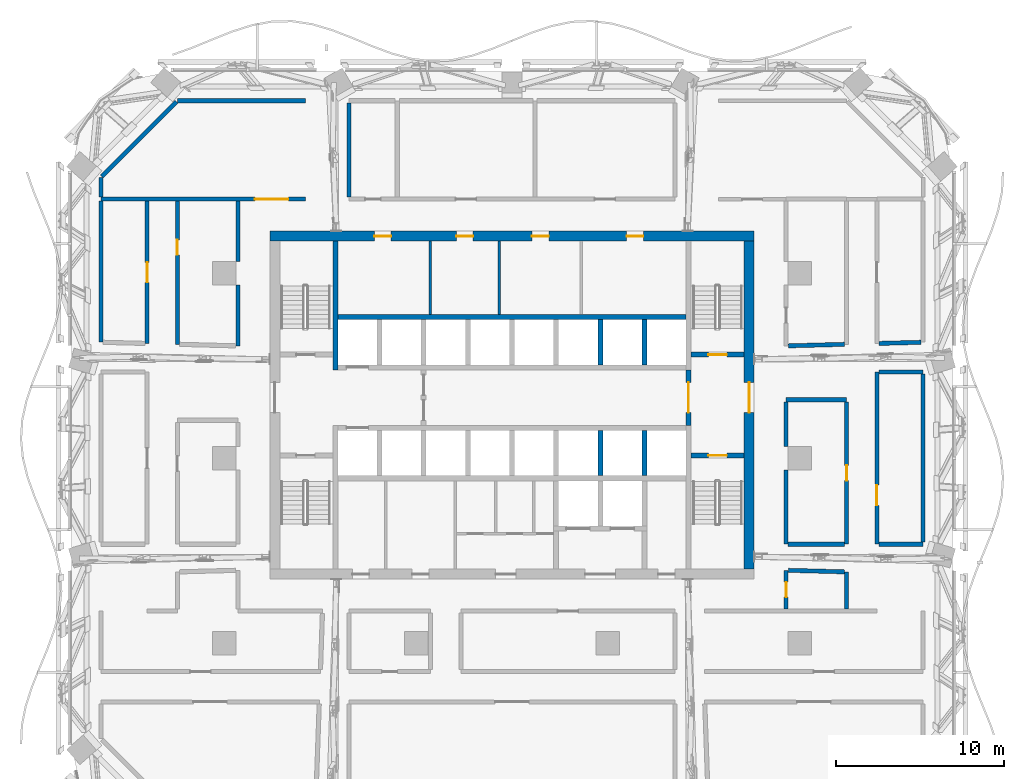
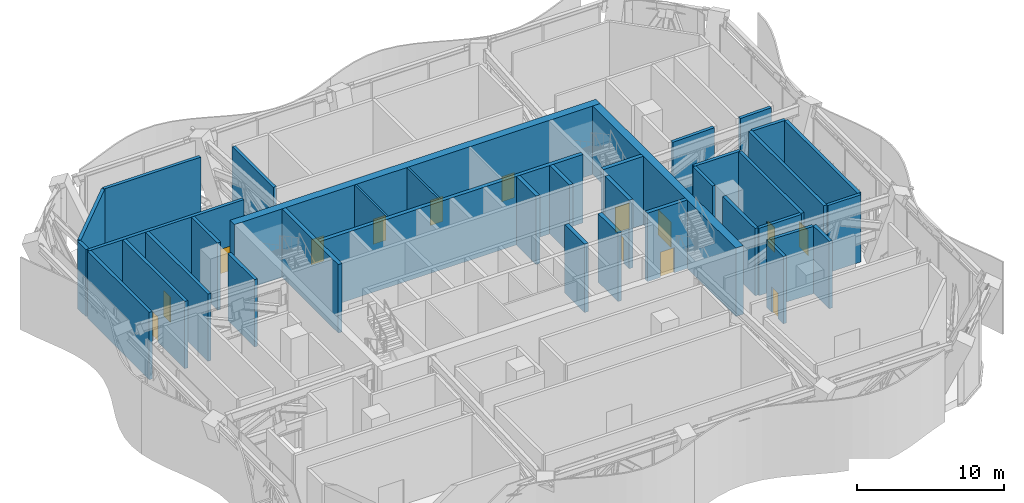
# One storey, part 10 of 26: 37 walls, 14 doors, 14 openings.
"""IFC4 building model written with IfcOpenShell, lengths in metres."""

from ifc_helpers import new_model, si_unit, direction, frame, frame_2d, origin, place, context, subcontext, project, spatial, rectangle, extrude, material, layer, layer_set, type_object, element, fill, save


model = new_model("IFC4")

# Units and contexts
model_context = context("Model", 3, precision=1e-05, world=origin(), true_north=direction((0.0, 1.0)))
body_context = subcontext(model_context, "Body", "Model", "MODEL_VIEW")
ifc_project = project(units=[si_unit("LENGTHUNIT", "METRE"), si_unit("AREAUNIT", "SQUARE_METRE"), si_unit("VOLUMEUNIT", "CUBIC_METRE"), si_unit("PLANEANGLEUNIT", "RADIAN"), si_unit("MASSUNIT", "GRAM", prefix="KILO")], contexts=[model_context])

# Site, building, storey
site_placement = place(None, origin())
site = spatial("IfcSite", under=ifc_project, at=site_placement, CompositionType="ELEMENT")
building_placement = place(site_placement, origin())
building = spatial("IfcBuilding", under=site, at=building_placement, Name="Mopane Tessera Tower", CompositionType="ELEMENT")
storey_placement = place(building_placement, frame((0.0, 0.0, 205.0)))
storey = spatial("IfcBuildingStorey", under=building, at=storey_placement, Name="L43", CompositionType="ELEMENT", Elevation=205.0)

# Walls
ifc_material_1 = material(Name="Fire-rated gypsum board partition")
ifc_layer_1 = layer(ifc_material_1, 0.14990234375)
ifc_layer_set_1 = layer_set([ifc_layer_1], Name="Fire-rated gypsum board partition")
wall_type_1 = type_object("IfcWallType", Name="Core room partition 150 mm", PredefinedType="PARTITIONING", material=ifc_layer_set_1)
for number, where, z_axis, x_axis, name in (
    (1, (-4.875, 8.550048828125, 0.0), (0.0, 0.0, 1.0), (0.0, 1.0, 0.0), "L43 Room partition"),
    (2, (-0.75, 8.550048828125, 0.0), (0.0, 0.0, 1.0), (0.0, 1.0, 0.0), "L43 Room partition"),
):
    element("IfcWall", number, at=place(storey_placement, frame(where, z_axis=z_axis, x_axis=x_axis)), inside=storey, type_object=wall_type_1, Name=name, PredefinedType="PARTITIONING", context=body_context, shape_type="SweptSolid", body=[
        extrude(rectangle(XDim=4.349853515625, YDim=0.14990234375, at=frame_2d((2.1748046875, 0.0))), origin(), (0.0, 0.0, 1.0), 5.699951171875),
    ])

# Wall, openings, doors
ifc_material_2 = material(Name="Concrete C70/85", Category="concrete")
ifc_layer_2 = layer(ifc_material_2, 0.60009765625)
ifc_layer_set_2 = layer_set([ifc_layer_2], Name="Concrete C70/85")
wall_type_2 = type_object("IfcWallType", Name="Core shear wall 600 mm", PredefinedType="SHEAR", material=ifc_layer_set_2)
wall_1_placement = place(storey_placement, frame((-14.39990234375, 13.199951171875, 0.0), z_axis=(0.0, 0.0, 1.0), x_axis=(1.0, 0.0, 0.0)))
wall_1 = element("IfcWall", 3, at=wall_1_placement, inside=storey, type_object=wall_type_2, Name="L43 Core wall north", PredefinedType="SHEAR", context=body_context, shape_type="SweptSolid", body=[
    extrude(rectangle(XDim=28.7998046875, YDim=0.60009765625, at=frame_2d((14.39990234375, 0.0))), origin(), (0.0, 0.0, 1.0), 5.699951171875),
])
opening_1_placement = place(wall_1_placement, frame((6.21240234375, 0.0, 0.0)))
opening_1 = element("IfcOpeningElement", 4, at=opening_1_placement, cuts=wall_1, Name="Opening RD1", PredefinedType="OPENING", context=body_context, shape_type="SweptSolid", body=[
    extrude(rectangle(XDim=1.0, YDim=2.10009765625, at=frame_2d((0.5, 1.050048828125))), frame((0.0, 0.31201171875, 0.0), z_axis=(0.0, -1.0, 0.0), x_axis=(1.0, 0.0, 0.0)), (0.0, 0.0, 1.0), 0.6240234375),
])
opening_2_placement = place(wall_1_placement, frame((11.08740234375, 0.0, 0.0)))
opening_2 = element("IfcOpeningElement", 5, at=opening_2_placement, cuts=wall_1, Name="Opening RD1", PredefinedType="OPENING", context=body_context, shape_type="SweptSolid", body=[
    extrude(rectangle(XDim=1.0, YDim=2.10009765625, at=frame_2d((0.5, 1.050048828125))), frame((0.0, 0.31201171875, 0.0), z_axis=(0.0, -1.0, 0.0), x_axis=(1.0, 0.0, 0.0)), (0.0, 0.0, 1.0), 0.6240234375),
])
opening_3_placement = place(wall_1_placement, frame((15.58740234375, 0.0, 0.0)))
opening_3 = element("IfcOpeningElement", 6, at=opening_3_placement, cuts=wall_1, Name="Opening RD1", PredefinedType="OPENING", context=body_context, shape_type="SweptSolid", body=[
    extrude(rectangle(XDim=1.0, YDim=2.10009765625, at=frame_2d((0.5, 1.050048828125))), frame((0.0, 0.31201171875, 0.0), z_axis=(0.0, -1.0, 0.0), x_axis=(1.0, 0.0, 0.0)), (0.0, 0.0, 1.0), 0.6240234375),
])
opening_4_placement = place(wall_1_placement, frame((21.21240234375, 0.0, 0.0)))
opening_4 = element("IfcOpeningElement", 7, at=opening_4_placement, cuts=wall_1, Name="Opening RD1", PredefinedType="OPENING", context=body_context, shape_type="SweptSolid", body=[
    extrude(rectangle(XDim=1.0, YDim=2.10009765625, at=frame_2d((0.5, 1.050048828125))), frame((0.0, 0.31201171875, 0.0), z_axis=(0.0, -1.0, 0.0), x_axis=(1.0, 0.0, 0.0)), (0.0, 0.0, 1.0), 0.6240234375),
])
ifc_material_3 = material(Name="Timber door", Category="wood")
door_type_1 = type_object("IfcDoorType", Name="Core room door 1000 x 2100", OperationType="SINGLE_SWING_LEFT", PredefinedType="DOOR", material=ifc_material_3)
door_1_placement = place(opening_1_placement, origin())
door_1 = element("IfcDoor", 8, at=door_1_placement, inside=storey, type_object=door_type_1, Name="L43 Room door", OperationType="SINGLE_SWING_LEFT", OverallHeight=2.10009765625, OverallWidth=1.0, PredefinedType="DOOR", context=body_context, shape_type="SweptSolid", body=[
    extrude(rectangle(XDim=1.0, YDim=2.10009765625, at=frame_2d((0.5, 1.050048828125))), frame((0.0, 0.02490234375, 0.0), z_axis=(0.0, -1.0, 0.0), x_axis=(1.0, 0.0, 0.0)), (0.0, 0.0, 1.0), 0.050048828125),
])
fill(opening_1, door_1)
door_2_placement = place(opening_2_placement, origin())
door_2 = element("IfcDoor", 9, at=door_2_placement, inside=storey, type_object=door_type_1, Name="L43 Room door", OperationType="SINGLE_SWING_LEFT", OverallHeight=2.10009765625, OverallWidth=1.0, PredefinedType="DOOR", context=body_context, shape_type="SweptSolid", body=[
    extrude(rectangle(XDim=1.0, YDim=2.10009765625, at=frame_2d((0.5, 1.050048828125))), frame((0.0, 0.02490234375, 0.0), z_axis=(0.0, -1.0, 0.0), x_axis=(1.0, 0.0, 0.0)), (0.0, 0.0, 1.0), 0.050048828125),
])
fill(opening_2, door_2)
door_3_placement = place(opening_3_placement, origin())
door_3 = element("IfcDoor", 10, at=door_3_placement, inside=storey, type_object=door_type_1, Name="L43 Room door", OperationType="SINGLE_SWING_LEFT", OverallHeight=2.10009765625, OverallWidth=1.0, PredefinedType="DOOR", context=body_context, shape_type="SweptSolid", body=[
    extrude(rectangle(XDim=1.0, YDim=2.10009765625, at=frame_2d((0.5, 1.050048828125))), frame((0.0, 0.02490234375, 0.0), z_axis=(0.0, -1.0, 0.0), x_axis=(1.0, 0.0, 0.0)), (0.0, 0.0, 1.0), 0.050048828125),
])
fill(opening_3, door_3)
door_4_placement = place(opening_4_placement, origin())
door_4 = element("IfcDoor", 11, at=door_4_placement, inside=storey, type_object=door_type_1, Name="L43 Room door", OperationType="SINGLE_SWING_LEFT", OverallHeight=2.10009765625, OverallWidth=1.0, PredefinedType="DOOR", context=body_context, shape_type="SweptSolid", body=[
    extrude(rectangle(XDim=1.0, YDim=2.10009765625, at=frame_2d((0.5, 1.050048828125))), frame((0.0, 0.02490234375, 0.0), z_axis=(0.0, -1.0, 0.0), x_axis=(1.0, 0.0, 0.0)), (0.0, 0.0, 1.0), 0.050048828125),
])
fill(opening_4, door_4)

# Wall, opening, door
wall_2_placement = place(storey_placement, frame((14.10009765625, -6.60009765625, 0.0), z_axis=(0.0, 0.0, 1.0), x_axis=(0.0, 1.0, 0.0)))
wall_2 = element("IfcWall", 12, at=wall_2_placement, inside=storey, type_object=wall_type_2, Name="L43 Core wall east", PredefinedType="SHEAR", context=body_context, shape_type="SweptSolid", body=[
    extrude(rectangle(XDim=19.5, YDim=0.60009765625, at=frame_2d((9.75, 0.0))), origin(), (0.0, 0.0, 1.0), 5.699951171875),
])
opening_5_placement = place(wall_2_placement, frame((9.300048828125, 0.0, 0.0)))
opening_5 = element("IfcOpeningElement", 13, at=opening_5_placement, cuts=wall_2, Name="Opening SD2", PredefinedType="OPENING", context=body_context, shape_type="SweptSolid", body=[
    extrude(rectangle(XDim=1.800048828125, YDim=2.10009765625, at=frame_2d((0.89990234375, 1.050048828125))), frame((0.0, 0.31201171875, 0.0), z_axis=(0.0, -1.0, 0.0), x_axis=(1.0, 0.0, 0.0)), (0.0, 0.0, 1.0), 0.6240234375),
])
ifc_material_4 = material(Name="Steel fire door", Category="steel")
door_type_2 = type_object("IfcDoorType", Name="Core entrance double door 1800 x 2100", OperationType="DOUBLE_DOOR_SINGLE_SWING", PredefinedType="DOOR", material=ifc_material_4)
door_5_placement = place(opening_5_placement, origin())
door_5 = element("IfcDoor", 14, at=door_5_placement, inside=storey, type_object=door_type_2, Name="L43 Core entrance door east", OperationType="DOUBLE_DOOR_SINGLE_SWING", OverallHeight=2.10009765625, OverallWidth=1.800048828125, PredefinedType="DOOR", context=body_context, shape_type="SweptSolid", body=[
    extrude(rectangle(XDim=1.800048828125, YDim=2.10009765625, at=frame_2d((0.89990234375, 1.050048828125))), frame((0.0, 0.02490234375, 0.0), z_axis=(0.0, -1.0, 0.0), x_axis=(1.0, 0.0, 0.0)), (0.0, 0.0, 1.0), 0.050048828125),
])
fill(opening_5, door_5)

# Wall
ifc_material_5 = material(Name="Concrete C60/75", Category="concrete")
ifc_layer_3 = layer(ifc_material_5, 0.300048828125)
ifc_layer_set_3 = layer_set([ifc_layer_3], Name="Concrete C60/75")
wall_type_3 = type_object("IfcWallType", Name="Core spine wall 300 mm", PredefinedType="SHEAR", material=ifc_layer_set_3)
wall_3_placement = place(storey_placement, frame((-10.5, 5.25, 0.0), z_axis=(0.0, 0.0, 1.0), x_axis=(0.0, 1.0, 0.0)))
element("IfcWall", 15, at=wall_3_placement, inside=storey, type_object=wall_type_3, Name="L43 Core spine wall", PredefinedType="SHEAR", context=body_context, shape_type="SweptSolid", body=[
    extrude(rectangle(XDim=7.64990234375, YDim=0.300048828125, at=frame_2d((3.824951171875, 0.0))), origin(), (0.0, 0.0, 1.0), 5.699951171875),
])

# Wall, opening, door
ifc_material_6 = material(Name="Concrete C50/60", Category="concrete")
ifc_layer_4 = layer(ifc_material_6, 0.300048828125)
ifc_layer_set_4 = layer_set([ifc_layer_4], Name="Concrete C50/60")
wall_type_4 = type_object("IfcWallType", Name="Lift and stair shaft wall 300 mm", PredefinedType="SOLIDWALL", material=ifc_layer_set_4)
wall_4_placement = place(storey_placement, frame((10.64990234375, 0.14990234375, 0.0), z_axis=(0.0, 0.0, 1.0), x_axis=(1.0, 0.0, 0.0)))
wall_4 = element("IfcWall", 16, at=wall_4_placement, inside=storey, type_object=wall_type_4, Name="L43 Stair enclosure wall", PredefinedType="SOLIDWALL", context=body_context, shape_type="SweptSolid", body=[
    extrude(rectangle(XDim=3.150146484375, YDim=0.300048828125, at=frame_2d((1.5751953125, 0.0))), origin(), (0.0, 0.0, 1.0), 5.699951171875),
])
opening_6_placement = place(wall_4_placement, frame((1.02490234375, 0.0, 0.0)))
opening_6 = element("IfcOpeningElement", 17, at=opening_6_placement, cuts=wall_4, Name="Opening SD1", PredefinedType="OPENING", context=body_context, shape_type="SweptSolid", body=[
    extrude(rectangle(XDim=1.10009765625, YDim=2.10009765625, at=frame_2d((0.550048828125, 1.050048828125))), frame((0.0, 0.162109375, 0.0), z_axis=(0.0, -1.0, 0.0), x_axis=(1.0, 0.0, 0.0)), (0.0, 0.0, 1.0), 0.323974609375),
])
ifc_material_7 = material(Name="Steel fire door", Category="steel")
door_type_3 = type_object("IfcDoorType", Name="Stair fire door 1100 x 2100", OperationType="SINGLE_SWING_LEFT", PredefinedType="DOOR", material=ifc_material_7)
door_6_placement = place(opening_6_placement, origin())
door_6 = element("IfcDoor", 18, at=door_6_placement, inside=storey, type_object=door_type_3, Name="L43 Stair door ST3", OperationType="SINGLE_SWING_RIGHT", OverallHeight=2.10009765625, OverallWidth=1.10009765625, PredefinedType="DOOR", context=body_context, shape_type="SweptSolid", body=[
    extrude(rectangle(XDim=1.10009765625, YDim=2.10009765625, at=frame_2d((0.550048828125, 1.050048828125))), frame((0.0, 0.02490234375, 0.0), z_axis=(0.0, -1.0, 0.0), x_axis=(1.0, 0.0, 0.0)), (0.0, 0.0, 1.0), 0.050048828125),
])
fill(opening_6, door_6)

wall_5_placement = place(storey_placement, frame((10.64990234375, 6.14990234375, 0.0), z_axis=(0.0, 0.0, 1.0), x_axis=(1.0, 0.0, 0.0)))
wall_5 = element("IfcWall", 19, at=wall_5_placement, inside=storey, type_object=wall_type_4, Name="L43 Stair enclosure wall", PredefinedType="SOLIDWALL", context=body_context, shape_type="SweptSolid", body=[
    extrude(rectangle(XDim=3.150146484375, YDim=0.300048828125, at=frame_2d((1.5751953125, 0.0))), origin(), (0.0, 0.0, 1.0), 5.699951171875),
])
opening_7_placement = place(wall_5_placement, frame((1.02490234375, 0.0, 0.0)))
opening_7 = element("IfcOpeningElement", 20, at=opening_7_placement, cuts=wall_5, Name="Opening SD1", PredefinedType="OPENING", context=body_context, shape_type="SweptSolid", body=[
    extrude(rectangle(XDim=1.10009765625, YDim=2.10009765625, at=frame_2d((0.550048828125, 1.050048828125))), frame((0.0, 0.162109375, 0.0), z_axis=(0.0, -1.0, 0.0), x_axis=(1.0, 0.0, 0.0)), (0.0, 0.0, 1.0), 0.323974609375),
])
door_7_placement = place(opening_7_placement, origin())
door_7 = element("IfcDoor", 21, at=door_7_placement, inside=storey, type_object=door_type_3, Name="L43 Stair door ST4", OperationType="SINGLE_SWING_RIGHT", OverallHeight=2.10009765625, OverallWidth=1.10009765625, PredefinedType="DOOR", context=body_context, shape_type="SweptSolid", body=[
    extrude(rectangle(XDim=1.10009765625, YDim=2.10009765625, at=frame_2d((0.550048828125, 1.050048828125))), frame((0.0, 0.02490234375, 0.0), z_axis=(0.0, -1.0, 0.0), x_axis=(1.0, 0.0, 0.0)), (0.0, 0.0, 1.0), 0.050048828125),
])
fill(opening_7, door_7)

# Walls
wall_6_placement = place(storey_placement, frame((-10.35009765625, 8.39990234375, 0.0), z_axis=(0.0, 0.0, 1.0), x_axis=(1.0, 0.0, 0.0)))
element("IfcWall", 22, at=wall_6_placement, inside=storey, type_object=wall_type_4, Name="L43 Lift shaft rear wall", PredefinedType="SOLIDWALL", context=body_context, shape_type="SweptSolid", body=[
    extrude(rectangle(XDim=20.7001953125, YDim=0.300048828125, at=frame_2d((10.35009765625, 0.0))), origin(), (0.0, 0.0, 1.0), 5.699951171875),
])
for number, where, z_axis, x_axis, name in (
    (23, (5.25, -1.050048828125, 0.0), (0.0, 0.0, 1.0), (0.0, 1.0, 0.0), "L43 Lift shaft wall"),
    (24, (7.875, -1.050048828125, 0.0), (0.0, 0.0, 1.0), (0.0, 1.0, 0.0), "L43 Lift shaft wall"),
    (25, (5.25, 5.550048828125, 0.0), (0.0, 0.0, 1.0), (0.0, 1.0, 0.0), "L43 Lift shaft wall"),
    (26, (7.875, 5.550048828125, 0.0), (0.0, 0.0, 1.0), (0.0, 1.0, 0.0), "L43 Lift shaft wall"),
):
    element("IfcWall", number, at=place(storey_placement, frame(where, z_axis=z_axis, x_axis=x_axis)), inside=storey, type_object=wall_type_4, Name=name, PredefinedType="SOLIDWALL", context=body_context, shape_type="SweptSolid", body=[
        extrude(rectangle(XDim=2.699951171875, YDim=0.300048828125, at=frame_2d((1.35009765625, 0.0))), origin(), (0.0, 0.0, 1.0), 5.699951171875),
    ])

# Wall, opening, door
ifc_material_8 = material(Name="Concrete C50/60", Category="concrete")
ifc_layer_5 = layer(ifc_material_8, 0.300048828125)
ifc_layer_set_5 = layer_set([ifc_layer_5], Name="Concrete C50/60")
wall_type_5 = type_object("IfcWallType", Name="Lobby and refuge room wall 300 mm", PredefinedType="SOLIDWALL", material=ifc_layer_set_5)
wall_7_placement = place(storey_placement, frame((10.5, 1.949951171875, 0.0), z_axis=(0.0, 0.0, 1.0), x_axis=(0.0, 1.0, 0.0)))
wall_7 = element("IfcWall", 27, at=wall_7_placement, inside=storey, type_object=wall_type_5, Name="L43 Refuge room wall", PredefinedType="SOLIDWALL", context=body_context, shape_type="SweptSolid", body=[
    extrude(rectangle(XDim=3.300048828125, YDim=0.300048828125, at=frame_2d((1.64990234375, 0.0))), origin(), (0.0, 0.0, 1.0), 5.699951171875),
])
opening_8_placement = place(wall_7_placement, frame((0.75, 0.0, 0.0)))
opening_8 = element("IfcOpeningElement", 28, at=opening_8_placement, cuts=wall_7, Name="Opening SD4", PredefinedType="OPENING", context=body_context, shape_type="SweptSolid", body=[
    extrude(rectangle(XDim=1.800048828125, YDim=2.10009765625, at=frame_2d((0.89990234375, 1.050048828125))), frame((0.0, 0.162109375, 0.0), z_axis=(0.0, -1.0, 0.0), x_axis=(1.0, 0.0, 0.0)), (0.0, 0.0, 1.0), 0.323974609375),
])
ifc_material_9 = material(Name="Steel fire door", Category="steel")
door_type_4 = type_object("IfcDoorType", Name="Refuge room double door 1800 x 2100", OperationType="DOUBLE_DOOR_SINGLE_SWING", PredefinedType="DOOR", material=ifc_material_9)
door_8_placement = place(opening_8_placement, origin())
door_8 = element("IfcDoor", 29, at=door_8_placement, inside=storey, type_object=door_type_4, Name="L43 Refuge room door", OperationType="DOUBLE_DOOR_SINGLE_SWING", OverallHeight=2.10009765625, OverallWidth=1.800048828125, PredefinedType="DOOR", context=body_context, shape_type="SweptSolid", body=[
    extrude(rectangle(XDim=1.800048828125, YDim=2.10009765625, at=frame_2d((0.89990234375, 1.050048828125))), frame((0.0, 0.02490234375, 0.0), z_axis=(0.0, -1.0, 0.0), x_axis=(1.0, 0.0, 0.0)), (0.0, 0.0, 1.0), 0.050048828125),
])
fill(opening_8, door_8)

# Walls
ifc_material_10 = material(Name="Plastered concrete blockwork C20/25", Category="masonry")
ifc_layer_6 = layer(ifc_material_10, 0.25)
ifc_layer_set_6 = layer_set([ifc_layer_6], Name="Plastered concrete blockwork C20/25")
wall_type_6 = type_object("IfcWallType", Name="Plastered blockwork wall 250, rated EI 120", PredefinedType="PARTITIONING", material=ifc_layer_set_6)
wall_8_placement = place(storey_placement, frame((16.425048828125, -5.1201171875, 0.0), z_axis=(0.0, 0.0, 1.0), x_axis=(1.0, 0.0, 0.0)))
element("IfcWall", 30, at=wall_8_placement, inside=storey, type_object=wall_type_6, Name="Partition L43:017", PredefinedType="PARTITIONING", context=body_context, shape_type="SweptSolid", body=[
    extrude(rectangle(XDim=3.349853515625, YDim=0.25, at=frame_2d((1.6748046875, 0.0))), origin(), (0.0, 0.0, 1.0), 5.60009765625),
])
wall_9_placement = place(storey_placement, frame((21.824951171875, -5.1201171875, 0.0), z_axis=(0.0, 0.0, 1.0), x_axis=(1.0, 0.0, 0.0)))
element("IfcWall", 31, at=wall_9_placement, inside=storey, type_object=wall_type_6, Name="Partition L43:018", PredefinedType="PARTITIONING", context=body_context, shape_type="SweptSolid", body=[
    extrude(rectangle(XDim=2.625, YDim=0.25, at=frame_2d((1.3125, 0.0))), origin(), (0.0, 0.0, 1.0), 5.60009765625),
])
wall_10_placement = place(storey_placement, frame((16.300048828125, 3.47509765625, 0.0), z_axis=(0.0, 0.0, 1.0), x_axis=(1.0, 0.0, 0.0)))
element("IfcWall", 32, at=wall_10_placement, inside=storey, type_object=wall_type_6, Name="Partition L43:020", PredefinedType="PARTITIONING", context=body_context, shape_type="SweptSolid", body=[
    extrude(rectangle(XDim=3.599853515625, YDim=0.25, at=frame_2d((1.7998046875, 0.0))), origin(), (0.0, 0.0, 1.0), 5.60009765625),
])
wall_11_placement = place(storey_placement, frame((21.824951171875, 5.1201171875, 0.0), z_axis=(0.0, 0.0, 1.0), x_axis=(1.0, 0.0, 0.0)))
element("IfcWall", 33, at=wall_11_placement, inside=storey, type_object=wall_type_6, Name="Partition L43:022", PredefinedType="PARTITIONING", context=body_context, shape_type="SweptSolid", body=[
    extrude(rectangle(XDim=2.625, YDim=0.25, at=frame_2d((1.3125, 0.0))), origin(), (0.0, 0.0, 1.0), 5.60009765625),
])

# Wall, opening, door
wall_12_placement = place(storey_placement, frame((-24.449951171875, 15.39990234375, 0.0), z_axis=(0.0, 0.0, 1.0), x_axis=(1.0, 0.0, 0.0)))
wall_12 = element("IfcWall", 34, at=wall_12_placement, inside=storey, type_object=wall_type_6, Name="Partition L43:025", PredefinedType="PARTITIONING", context=body_context, shape_type="SweptSolid", body=[
    extrude(rectangle(XDim=12.159912109375, YDim=0.25, at=frame_2d((6.080078125, 0.0))), origin(), (0.0, 0.0, 1.0), 5.60009765625),
])
opening_9_placement = place(wall_12_placement, frame((9.155029296875, 0.0, 0.0)))
opening_9 = element("IfcOpeningElement", 35, at=opening_9_placement, cuts=wall_12, Name="Opening L43-10", PredefinedType="OPENING", context=body_context, shape_type="SweptSolid", body=[
    extrude(rectangle(XDim=2.0, YDim=2.10009765625, at=frame_2d((1.0, 1.050048828125))), frame((0.0, 0.136962890625, 0.0), z_axis=(0.0, -1.0, 0.0), x_axis=(1.0, 0.0, 0.0)), (0.0, 0.0, 1.0), 0.27392578125),
])
ifc_material_11 = material(Name="Timber veneered steel-framed fire door", Category="steel")
door_type_5 = type_object("IfcDoorType", Name="Fire door pair FD120 2000 x 2100", OperationType="DOUBLE_DOOR_SINGLE_SWING", PredefinedType="DOOR", material=ifc_material_11)
door_9_placement = place(opening_9_placement, origin())
door_9 = element("IfcDoor", 36, at=door_9_placement, inside=storey, type_object=door_type_5, Name="Door L43-10", ObjectType="D25B", OperationType="DOUBLE_DOOR_SINGLE_SWING", OverallHeight=2.10009765625, OverallWidth=2.0, PredefinedType="DOOR", context=body_context, shape_type="SweptSolid", body=[
    extrude(rectangle(XDim=2.0, YDim=2.10009765625, at=frame_2d((1.0, 1.050048828125))), frame((0.0, 0.02490234375, 0.0), z_axis=(0.0, -1.0, 0.0), x_axis=(1.0, 0.0, 0.0)), (0.0, 0.0, 1.0), 0.050048828125),
])
fill(opening_9, door_9)

# Walls
wall_13_placement = place(storey_placement, frame((-19.889892578125, 21.25, 0.0), z_axis=(0.0, 0.0, 1.0), x_axis=(1.0, 0.0, 0.0)))
element("IfcWall", 37, at=wall_13_placement, inside=storey, type_object=wall_type_6, Name="Partition L43:030", PredefinedType="PARTITIONING", context=body_context, shape_type="SweptSolid", body=[
    extrude(rectangle(XDim=7.599853515625, YDim=0.25, at=frame_2d((3.7998046875, 0.0))), origin(), (0.0, 0.0, 1.0), 5.60009765625),
])
wall_14_placement = place(storey_placement, frame((-24.449951171875, 6.889892578125, 0.0), z_axis=(0.0, 0.0, 1.0), x_axis=(0.0, 1.0, 0.0)))
element("IfcWall", 38, at=wall_14_placement, inside=storey, type_object=wall_type_6, Name="Partition L43:037", PredefinedType="PARTITIONING", context=body_context, shape_type="SweptSolid", body=[
    extrude(rectangle(XDim=8.385009765625, YDim=0.25, at=frame_2d((4.1923828125, 0.0))), origin(), (0.0, 0.0, 1.0), 5.60009765625),
])
wall_15_placement = place(storey_placement, frame((-24.449951171875, 15.52490234375, 0.0), z_axis=(0.0, 0.0, 1.0), x_axis=(0.0, 1.0, 0.0)))
element("IfcWall", 39, at=wall_15_placement, inside=storey, type_object=wall_type_6, Name="Partition L43:038", PredefinedType="PARTITIONING", context=body_context, shape_type="SweptSolid", body=[
    extrude(rectangle(XDim=1.1650390625, YDim=0.25, at=frame_2d((0.58251953125, 0.0))), origin(), (0.0, 0.0, 1.0), 5.60009765625),
])

# Wall, opening, door
wall_16_placement = place(storey_placement, frame((-21.699951171875, 6.81494140625, 0.0), z_axis=(0.0, 0.0, 1.0), x_axis=(0.0, 1.0, 0.0)))
wall_16 = element("IfcWall", 40, at=wall_16_placement, inside=storey, type_object=wall_type_6, Name="Partition L43:040", PredefinedType="PARTITIONING", context=body_context, shape_type="SweptSolid", body=[
    extrude(rectangle(XDim=8.4599609375, YDim=0.25, at=frame_2d((4.22998046875, 0.0))), origin(), (0.0, 0.0, 1.0), 5.60009765625),
])
opening_10_placement = place(wall_16_placement, frame((3.6298828125, 0.0, 0.0)))
opening_10 = element("IfcOpeningElement", 41, at=opening_10_placement, cuts=wall_16, Name="Opening L43-01", PredefinedType="OPENING", context=body_context, shape_type="SweptSolid", body=[
    extrude(rectangle(XDim=1.199951171875, YDim=2.10009765625, at=frame_2d((0.60009765625, 1.050048828125))), frame((0.0, 0.136962890625, 0.0), z_axis=(0.0, -1.0, 0.0), x_axis=(1.0, 0.0, 0.0)), (0.0, 0.0, 1.0), 0.27392578125),
])
ifc_material_12 = material(Name="Timber veneered steel-framed fire door", Category="steel")
door_type_6 = type_object("IfcDoorType", Name="Fire door FD120 1200 x 2100", OperationType="SINGLE_SWING_LEFT", PredefinedType="DOOR", material=ifc_material_12)
door_10_placement = place(opening_10_placement, origin())
door_10 = element("IfcDoor", 42, at=door_10_placement, inside=storey, type_object=door_type_6, Name="Door L43-01", ObjectType="D15B", OperationType="SINGLE_SWING_LEFT", OverallHeight=2.10009765625, OverallWidth=1.199951171875, PredefinedType="DOOR", context=body_context, shape_type="SweptSolid", body=[
    extrude(rectangle(XDim=1.199951171875, YDim=2.10009765625, at=frame_2d((0.60009765625, 1.050048828125))), frame((0.0, 0.02490234375, 0.0), z_axis=(0.0, -1.0, 0.0), x_axis=(1.0, 0.0, 0.0)), (0.0, 0.0, 1.0), 0.050048828125),
])
fill(opening_10, door_10)

wall_17_placement = place(storey_placement, frame((-19.89990234375, 6.77001953125, 0.0), z_axis=(0.0, 0.0, 1.0), x_axis=(0.0, 1.0, 0.0)))
wall_17 = element("IfcWall", 43, at=wall_17_placement, inside=storey, type_object=wall_type_6, Name="Partition L43:043", PredefinedType="PARTITIONING", context=body_context, shape_type="SweptSolid", body=[
    extrude(rectangle(XDim=8.5048828125, YDim=0.25, at=frame_2d((4.25244140625, 0.0))), origin(), (0.0, 0.0, 1.0), 5.60009765625),
])
opening_11_placement = place(wall_17_placement, frame((5.31005859375, 0.0, 0.0)))
opening_11 = element("IfcOpeningElement", 44, at=opening_11_placement, cuts=wall_17, Name="Opening L43-20", PredefinedType="OPENING", context=body_context, shape_type="SweptSolid", body=[
    extrude(rectangle(XDim=0.89990234375, YDim=2.10009765625, at=frame_2d((0.449951171875, 1.050048828125))), frame((0.0, 0.136962890625, 0.0), z_axis=(0.0, -1.0, 0.0), x_axis=(1.0, 0.0, 0.0)), (0.0, 0.0, 1.0), 0.27392578125),
])
ifc_material_13 = material(Name="Timber veneered steel-framed fire door", Category="steel")
door_type_7 = type_object("IfcDoorType", Name="Fire door FD120 900 x 2100", OperationType="SINGLE_SWING_LEFT", PredefinedType="DOOR", material=ifc_material_13)
door_11_placement = place(opening_11_placement, origin())
door_11 = element("IfcDoor", 45, at=door_11_placement, inside=storey, type_object=door_type_7, Name="Door L43-20", ObjectType="D10B", OperationType="SINGLE_SWING_LEFT", OverallHeight=2.10009765625, OverallWidth=0.89990234375, PredefinedType="DOOR", context=body_context, shape_type="SweptSolid", body=[
    extrude(rectangle(XDim=0.89990234375, YDim=2.10009765625, at=frame_2d((0.449951171875, 1.050048828125))), frame((0.0, 0.02490234375, 0.0), z_axis=(0.0, -1.0, 0.0), x_axis=(1.0, 0.0, 0.0)), (0.0, 0.0, 1.0), 0.050048828125),
])
fill(opening_11, door_11)

# Walls
wall_18_placement = place(storey_placement, frame((-16.300048828125, 6.669921875, 0.0), z_axis=(0.0, 0.0, 1.0), x_axis=(0.0, 1.0, 0.0)))
element("IfcWall", 46, at=wall_18_placement, inside=storey, type_object=wall_type_6, Name="Partition L43:047", PredefinedType="PARTITIONING", context=body_context, shape_type="SweptSolid", body=[
    extrude(rectangle(XDim=3.630126953125, YDim=0.25, at=frame_2d((1.81494140625, 0.0))), origin(), (0.0, 0.0, 1.0), 5.60009765625),
])
wall_19_placement = place(storey_placement, frame((-16.300048828125, 11.699951171875, 0.0), z_axis=(0.0, 0.0, 1.0), x_axis=(0.0, 1.0, 0.0)))
element("IfcWall", 47, at=wall_19_placement, inside=storey, type_object=wall_type_6, Name="Partition L43:048", PredefinedType="PARTITIONING", context=body_context, shape_type="SweptSolid", body=[
    extrude(rectangle(XDim=3.574951171875, YDim=0.25, at=frame_2d((1.78759765625, 0.0))), origin(), (0.0, 0.0, 1.0), 5.60009765625),
])
wall_20_placement = place(storey_placement, frame((-9.699951171875, 15.52490234375, 0.0), z_axis=(0.0, 0.0, 1.0), x_axis=(0.0, 1.0, 0.0)))
element("IfcWall", 48, at=wall_20_placement, inside=storey, type_object=wall_type_6, Name="Partition L43:051", PredefinedType="PARTITIONING", context=body_context, shape_type="SweptSolid", body=[
    extrude(rectangle(XDim=5.60009765625, YDim=0.25, at=frame_2d((2.800048828125, 0.0))), origin(), (0.0, 0.0, 1.0), 5.60009765625),
])

# Wall, opening, door
wall_21_placement = place(storey_placement, frame((16.300048828125, -8.97509765625, 0.0), z_axis=(0.0, 0.0, 1.0), x_axis=(0.0, 1.0, 0.0)))
wall_21 = element("IfcWall", 49, at=wall_21_placement, inside=storey, type_object=wall_type_6, Name="Partition L43:059", PredefinedType="PARTITIONING", context=body_context, shape_type="SweptSolid", body=[
    extrude(rectangle(XDim=2.30517578125, YDim=0.25, at=frame_2d((1.152587890625, 0.0))), origin(), (0.0, 0.0, 1.0), 5.60009765625),
])
opening_12_placement = place(wall_21_placement, frame((0.702392578125, 0.0, 0.0)))
opening_12 = element("IfcOpeningElement", 50, at=opening_12_placement, cuts=wall_21, Name="Opening L43-12", PredefinedType="OPENING", context=body_context, shape_type="SweptSolid", body=[
    extrude(rectangle(XDim=0.89990234375, YDim=2.10009765625, at=frame_2d((0.449951171875, 1.050048828125))), frame((0.0, 0.136962890625, 0.0), z_axis=(0.0, -1.0, 0.0), x_axis=(1.0, 0.0, 0.0)), (0.0, 0.0, 1.0), 0.27392578125),
])
door_12_placement = place(opening_12_placement, origin())
door_12 = element("IfcDoor", 51, at=door_12_placement, inside=storey, type_object=door_type_7, Name="Door L43-12", ObjectType="D10B", OperationType="SINGLE_SWING_LEFT", OverallHeight=2.10009765625, OverallWidth=0.89990234375, PredefinedType="DOOR", context=body_context, shape_type="SweptSolid", body=[
    extrude(rectangle(XDim=0.89990234375, YDim=2.10009765625, at=frame_2d((0.449951171875, 1.050048828125))), frame((0.0, 0.02490234375, 0.0), z_axis=(0.0, -1.0, 0.0), x_axis=(1.0, 0.0, 0.0)), (0.0, 0.0, 1.0), 0.050048828125),
])
fill(opening_12, door_12)

# Walls
wall_22_placement = place(storey_placement, frame((16.300048828125, -5.1201171875, 0.0), z_axis=(0.0, 0.0, 1.0), x_axis=(0.0, 1.0, 0.0)))
element("IfcWall", 52, at=wall_22_placement, inside=storey, type_object=wall_type_6, Name="Partition L43:060", PredefinedType="PARTITIONING", context=body_context, shape_type="SweptSolid", body=[
    extrude(rectangle(XDim=4.420166015625, YDim=0.25, at=frame_2d((2.2099609375, 0.0))), origin(), (0.0, 0.0, 1.0), 5.60009765625),
])
wall_23_placement = place(storey_placement, frame((16.300048828125, 0.699951171875, 0.0), z_axis=(0.0, 0.0, 1.0), x_axis=(0.0, 1.0, 0.0)))
element("IfcWall", 53, at=wall_23_placement, inside=storey, type_object=wall_type_6, Name="Partition L43:061", PredefinedType="PARTITIONING", context=body_context, shape_type="SweptSolid", body=[
    extrude(rectangle(XDim=2.650146484375, YDim=0.25, at=frame_2d((1.3251953125, 0.0))), origin(), (0.0, 0.0, 1.0), 5.60009765625),
])
wall_24_placement = place(storey_placement, frame((19.89990234375, -8.97509765625, 0.0), z_axis=(0.0, 0.0, 1.0), x_axis=(0.0, 1.0, 0.0)))
element("IfcWall", 54, at=wall_24_placement, inside=storey, type_object=wall_type_6, Name="Partition L43:064", PredefinedType="PARTITIONING", context=body_context, shape_type="SweptSolid", body=[
    extrude(rectangle(XDim=2.205078125, YDim=0.25, at=frame_2d((1.1025390625, 0.0))), origin(), (0.0, 0.0, 1.0), 5.60009765625),
])

# Wall, opening, door
wall_25_placement = place(storey_placement, frame((19.89990234375, -5.1201171875, 0.0), z_axis=(0.0, 0.0, 1.0), x_axis=(0.0, 1.0, 0.0)))
wall_25 = element("IfcWall", 55, at=wall_25_placement, inside=storey, type_object=wall_type_6, Name="Partition L43:065", PredefinedType="PARTITIONING", context=body_context, shape_type="SweptSolid", body=[
    extrude(rectangle(XDim=8.47021484375, YDim=0.25, at=frame_2d((4.235107421875, 0.0))), origin(), (0.0, 0.0, 1.0), 5.60009765625),
])
opening_13_placement = place(wall_25_placement, frame((3.784912109375, 0.0, 0.0)))
opening_13 = element("IfcOpeningElement", 56, at=opening_13_placement, cuts=wall_25, Name="Opening L43-13", PredefinedType="OPENING", context=body_context, shape_type="SweptSolid", body=[
    extrude(rectangle(XDim=0.89990234375, YDim=2.10009765625, at=frame_2d((0.449951171875, 1.050048828125))), frame((0.0, 0.136962890625, 0.0), z_axis=(0.0, -1.0, 0.0), x_axis=(1.0, 0.0, 0.0)), (0.0, 0.0, 1.0), 0.27392578125),
])
door_13_placement = place(opening_13_placement, origin())
door_13 = element("IfcDoor", 57, at=door_13_placement, inside=storey, type_object=door_type_7, Name="Door L43-13", ObjectType="D10B", OperationType="SINGLE_SWING_LEFT", OverallHeight=2.10009765625, OverallWidth=0.89990234375, PredefinedType="DOOR", context=body_context, shape_type="SweptSolid", body=[
    extrude(rectangle(XDim=0.89990234375, YDim=2.10009765625, at=frame_2d((0.449951171875, 1.050048828125))), frame((0.0, 0.02490234375, 0.0), z_axis=(0.0, -1.0, 0.0), x_axis=(1.0, 0.0, 0.0)), (0.0, 0.0, 1.0), 0.050048828125),
])
fill(opening_13, door_13)

wall_26_placement = place(storey_placement, frame((21.699951171875, -5.1201171875, 0.0), z_axis=(0.0, 0.0, 1.0), x_axis=(0.0, 1.0, 0.0)))
wall_26 = element("IfcWall", 58, at=wall_26_placement, inside=storey, type_object=wall_type_6, Name="Partition L43:067", PredefinedType="PARTITIONING", context=body_context, shape_type="SweptSolid", body=[
    extrude(rectangle(XDim=10.240234375, YDim=0.25, at=frame_2d((5.1201171875, 0.0))), origin(), (0.0, 0.0, 1.0), 5.60009765625),
])
opening_14_placement = place(wall_26_placement, frame((2.31005859375, 0.0, 0.0)))
opening_14 = element("IfcOpeningElement", 59, at=opening_14_placement, cuts=wall_26, Name="Opening L43-03", PredefinedType="OPENING", context=body_context, shape_type="SweptSolid", body=[
    extrude(rectangle(XDim=1.199951171875, YDim=2.10009765625, at=frame_2d((0.60009765625, 1.050048828125))), frame((0.0, 0.136962890625, 0.0), z_axis=(0.0, -1.0, 0.0), x_axis=(1.0, 0.0, 0.0)), (0.0, 0.0, 1.0), 0.27392578125),
])
door_14_placement = place(opening_14_placement, origin())
door_14 = element("IfcDoor", 60, at=door_14_placement, inside=storey, type_object=door_type_6, Name="Door L43-03", ObjectType="D15B", OperationType="SINGLE_SWING_RIGHT", OverallHeight=2.10009765625, OverallWidth=1.199951171875, PredefinedType="DOOR", context=body_context, shape_type="SweptSolid", body=[
    extrude(rectangle(XDim=1.199951171875, YDim=2.10009765625, at=frame_2d((0.60009765625, 1.050048828125))), frame((0.0, 0.02490234375, 0.0), z_axis=(0.0, -1.0, 0.0), x_axis=(1.0, 0.0, 0.0)), (0.0, 0.0, 1.0), 0.050048828125),
])
fill(opening_14, door_14)

# Walls
wall_27_placement = place(storey_placement, frame((24.449951171875, -4.9951171875, 0.0), z_axis=(0.0, 0.0, 1.0), x_axis=(0.0, 1.0, 0.0)))
element("IfcWall", 61, at=wall_27_placement, inside=storey, type_object=wall_type_6, Name="Partition L43:072", PredefinedType="PARTITIONING", context=body_context, shape_type="SweptSolid", body=[
    extrude(rectangle(XDim=9.990234375, YDim=0.25, at=frame_2d((4.9951171875, 0.0))), origin(), (0.0, 0.0, 1.0), 5.60009765625),
])
wall_28_placement = place(storey_placement, frame((24.320068359375, 6.885986328125, 0.0), z_axis=(0.0, 0.0, 1.0), x_axis=(-0.999639320935, -0.026855689179, 0.0)))
element("IfcWall", 62, at=wall_28_placement, inside=storey, type_object=wall_type_6, Name="Partition L43:077", PredefinedType="PARTITIONING", context=body_context, shape_type="SweptSolid", body=[
    extrude(rectangle(XDim=2.490966796875, YDim=0.25, at=frame_2d((1.24560546875, 0.0))), origin(), (0.0, 0.0, 1.0), 5.60009765625),
])
wall_29_placement = place(storey_placement, frame((19.77001953125, 6.76611328125, 0.0), z_axis=(0.0, 0.0, 1.0), x_axis=(-0.999620536712, -0.027546008504, 0.0)))
element("IfcWall", 63, at=wall_29_placement, inside=storey, type_object=wall_type_6, Name="Partition L43:080", PredefinedType="PARTITIONING", context=body_context, shape_type="SweptSolid", body=[
    extrude(rectangle(XDim=3.34130859375, YDim=0.25, at=frame_2d((1.670654296875, 0.0))), origin(), (0.0, 0.0, 1.0), 5.60009765625),
])
wall_30_placement = place(storey_placement, frame((-24.39306640625, 16.7470703125, 0.0), z_axis=(0.0, 0.0, 1.0), x_axis=(0.707106781187, 0.707106781187, 0.0)))
element("IfcWall", 64, at=wall_30_placement, inside=storey, type_object=wall_type_6, Name="Partition L43:081", PredefinedType="PARTITIONING", context=body_context, shape_type="SweptSolid", body=[
    extrude(rectangle(XDim=6.28759765625, YDim=0.25, at=frame_2d((3.143798828125, 0.0))), origin(), (0.0, 0.0, 1.0), 5.60009765625),
])
wall_31_placement = place(storey_placement, frame((16.429931640625, -6.674072265625, 0.0), z_axis=(0.0, 0.0, 1.0), x_axis=(0.999620536712, -0.027546008504, 0.0)))
element("IfcWall", 65, at=wall_31_placement, inside=storey, type_object=wall_type_6, Name="Partition L43:082", PredefinedType="PARTITIONING", context=body_context, shape_type="SweptSolid", body=[
    extrude(rectangle(XDim=3.34130859375, YDim=0.25, at=frame_2d((1.670654296875, 0.0))), origin(), (0.0, 0.0, 1.0), 5.60009765625),
])

save(model, "model.ifc")
